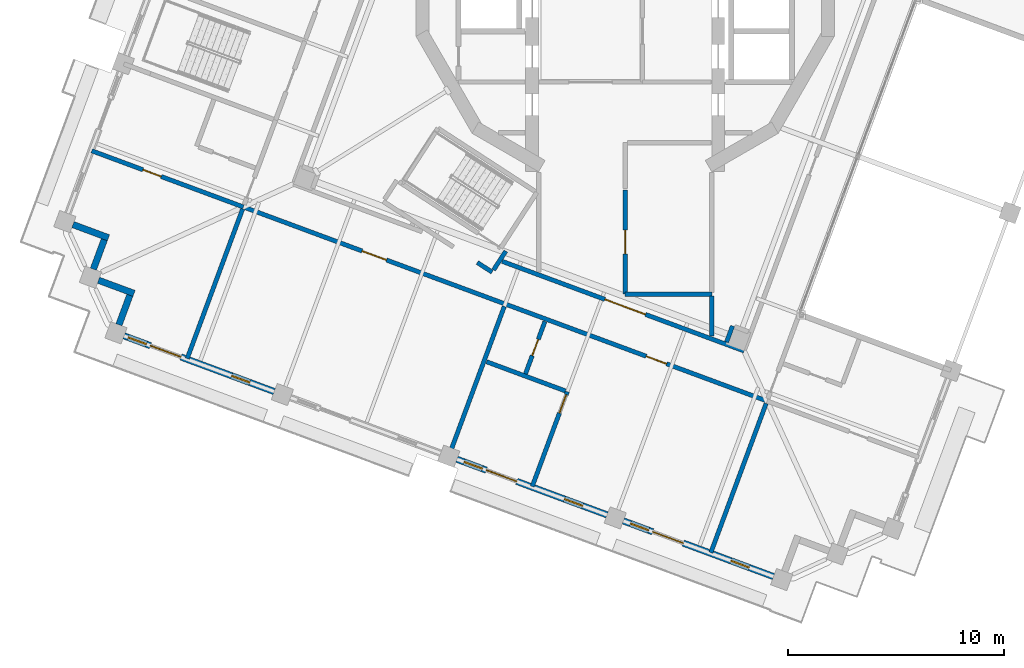
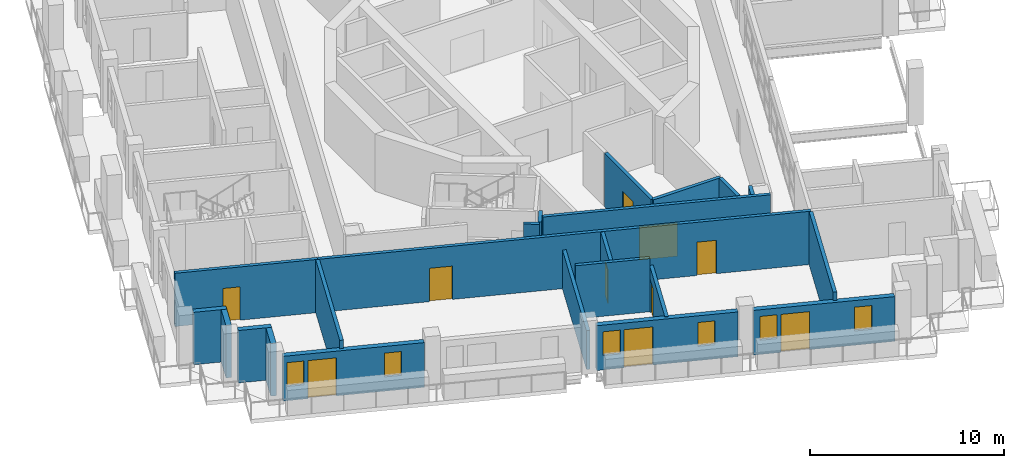
# One storey, part 5 of 19: 22 walls, 10 doors, 6 windows, 16 openings.
"""IFC4 building model written with IfcOpenShell, lengths in metres."""

from ifc_helpers import new_model, si_unit, direction, frame, frame_2d, origin, place, context, subcontext, project, spatial, rectangle, extrude, material, layer, layer_set, type_object, element, fill, save


model = new_model("IFC4")

# Units and contexts
model_context = context("Model", 3, precision=1e-05, world=origin(), true_north=direction((0.0, 1.0)))
body_context = subcontext(model_context, "Body", "Model", "MODEL_VIEW")
ifc_project = project(units=[si_unit("LENGTHUNIT", "METRE"), si_unit("AREAUNIT", "SQUARE_METRE"), si_unit("VOLUMEUNIT", "CUBIC_METRE"), si_unit("PLANEANGLEUNIT", "RADIAN"), si_unit("MASSUNIT", "GRAM", prefix="KILO")], contexts=[model_context])

# Site, building, storey
site_placement = place(None, origin())
site = spatial("IfcSite", under=ifc_project, at=site_placement, CompositionType="ELEMENT")
building_placement = place(site_placement, origin())
building = spatial("IfcBuilding", under=site, at=building_placement, Name="Cantera Rosa Tower", CompositionType="ELEMENT")
storey_placement = place(building_placement, frame((0.0, 0.0, 331.300048828125)))
storey = spatial("IfcBuildingStorey", under=building, at=storey_placement, Name="L74", CompositionType="ELEMENT", Elevation=331.300048828125)

# Wall, openings, doors
ifc_material_1 = material(Name="Gypsum board partition")
ifc_layer_1 = layer(ifc_material_1, 0.199951171875)
ifc_layer_set_1 = layer_set([ifc_layer_1], Name="CORRIDOR WALL 200 H3350")
wall_type_1 = type_object("IfcWallType", Name="CORRIDOR WALL 200 H3350", PredefinedType="PARTITIONING", material=ifc_layer_set_1)
wall_1_placement = place(storey_placement, frame((-17.61962890625, -10.48046875, 0.0), z_axis=(0.0, 0.0, 1.0), x_axis=(0.937683515105, -0.347490468214, 0.0)))
wall_1 = element("IfcWall", 1, at=wall_1_placement, inside=storey, type_object=wall_type_1, Name="CORRIDOR WALL L74-007", PredefinedType="PARTITIONING", context=body_context, shape_type="SweptSolid", body=[
    extrude(rectangle(XDim=25.77978515625, YDim=0.199951171875, at=frame_2d((12.889892578125, 0.0))), origin(), (0.0, 0.0, 1.0), 3.349853515625),
])
opening_1_placement = place(wall_1_placement, frame((5.830078125, 0.0, 0.0)))
opening_1 = element("IfcOpeningElement", 2, at=opening_1_placement, cuts=wall_1, Name="Opening L74-041", PredefinedType="OPENING", context=body_context, shape_type="SweptSolid", body=[
    extrude(rectangle(XDim=1.199951171875, YDim=2.10009765625, at=frame_2d((0.60009765625, 1.050048828125))), frame((0.0, 0.10986328125, 0.0), z_axis=(0.0, -1.0, 0.0), x_axis=(1.0, 0.0, 0.0)), (0.0, 0.0, 1.0), 0.219970703125),
])
opening_2_placement = place(wall_1_placement, frame((19.830078125, 0.0, 0.0)))
opening_2 = element("IfcOpeningElement", 3, at=opening_2_placement, cuts=wall_1, Name="Opening L74-042", PredefinedType="OPENING", context=body_context, shape_type="SweptSolid", body=[
    extrude(rectangle(XDim=1.0, YDim=2.10009765625, at=frame_2d((0.5, 1.050048828125))), frame((0.0, 0.10986328125, 0.0), z_axis=(0.0, -1.0, 0.0), x_axis=(1.0, 0.0, 0.0)), (0.0, 0.0, 1.0), 0.219970703125),
])
ifc_material_2 = material(Name="Timber door leaf", Category="wood")
door_type_1 = type_object("IfcDoorType", Name="ENTRANCE DOOR 1000x2100", OperationType="NOTDEFINED", PredefinedType="DOOR", material=ifc_material_2)
door_1_placement = place(opening_2_placement, origin())
door_1 = element("IfcDoor", 4, at=door_1_placement, inside=storey, type_object=door_type_1, Name="DOOR L74-042", OperationType="NOTDEFINED", OverallHeight=2.10009765625, OverallWidth=1.0, PredefinedType="DOOR", context=body_context, shape_type="SweptSolid", body=[
    extrude(rectangle(XDim=1.0, YDim=2.10009765625, at=frame_2d((0.5, 1.050048828125))), frame((0.0, 0.02490234375, 0.0), z_axis=(0.0, -1.0, 0.0), x_axis=(1.0, 0.0, 0.0)), (0.0, 0.0, 1.0), 0.050048828125),
])
fill(opening_2, door_1)
ifc_material_3 = material(Name="Timber door leaf", Category="wood")
door_type_2 = type_object("IfcDoorType", Name="ROOM DOOR 1200x2100", OperationType="NOTDEFINED", PredefinedType="DOOR", material=ifc_material_3)
door_2_placement = place(opening_1_placement, origin())
door_2 = element("IfcDoor", 5, at=door_2_placement, inside=storey, type_object=door_type_2, Name="DOOR L74-041", OperationType="NOTDEFINED", OverallHeight=2.10009765625, OverallWidth=1.199951171875, PredefinedType="DOOR", context=body_context, shape_type="SweptSolid", body=[
    extrude(rectangle(XDim=1.199951171875, YDim=2.10009765625, at=frame_2d((0.60009765625, 1.050048828125))), frame((0.0, 0.02490234375, 0.0), z_axis=(0.0, -1.0, 0.0), x_axis=(1.0, 0.0, 0.0)), (0.0, 0.0, 1.0), 0.050048828125),
])
fill(opening_1, door_2)

# Walls
wall_2_placement = place(storey_placement, frame((-6.83251953125, -13.038330078125, 0.0), z_axis=(0.0, 0.0, 1.0), x_axis=(0.838593374038, -0.54475788477, 0.0)))
element("IfcWall", 6, at=wall_2_placement, inside=storey, type_object=wall_type_1, Name="CORRIDOR WALL L74-023", PredefinedType="PARTITIONING", context=body_context, shape_type="SweptSolid", body=[
    extrude(rectangle(XDim=0.8193359375, YDim=0.199951171875, at=frame_2d((0.40966796875, 0.0))), origin(), (0.0, 0.0, 1.0), 3.349853515625),
])
wall_3_placement = place(storey_placement, frame((-6.080078125, -13.3837890625, 0.0), z_axis=(0.0, 0.0, 1.0), x_axis=(0.544566778899, 0.838717487191, 0.0)))
element("IfcWall", 7, at=wall_3_placement, inside=storey, type_object=wall_type_1, Name="CORRIDOR WALL L74-039", PredefinedType="PARTITIONING", context=body_context, shape_type="SweptSolid", body=[
    extrude(rectangle(XDim=1.038330078125, YDim=0.199951171875, at=frame_2d((0.51904296875, 0.0))), origin(), (0.0, 0.0, 1.0), 3.349853515625),
])

# Wall, opening, door
wall_4_placement = place(storey_placement, frame((-5.681396484375, -12.98486328125, 0.0), z_axis=(0.0, 0.0, 1.0), x_axis=(0.937686213924, -0.347483185516, 0.0)))
wall_4 = element("IfcWall", 8, at=wall_4_placement, inside=storey, type_object=wall_type_1, Name="CORRIDOR WALL L74-042", PredefinedType="PARTITIONING", context=body_context, shape_type="SweptSolid", body=[
    extrude(rectangle(XDim=11.915283203125, YDim=0.199951171875, at=frame_2d((5.95751953125, 0.0))), origin(), (0.0, 0.0, 1.0), 3.349853515625),
])
opening_3_placement = place(wall_4_placement, frame((5.05908203125, 0.0, 0.0)))
opening_3 = element("IfcOpeningElement", 9, at=opening_3_placement, cuts=wall_4, Name="Opening L74-011", PredefinedType="OPENING", context=body_context, shape_type="SweptSolid", body=[
    extrude(rectangle(XDim=2.0, YDim=2.10009765625, at=frame_2d((1.0, 1.050048828125))), frame((0.0, 0.10986328125, 0.0), z_axis=(0.0, -1.0, 0.0), x_axis=(1.0, 0.0, 0.0)), (0.0, 0.0, 1.0), 0.219970703125),
])
ifc_material_4 = material(Name="Steel S355J2 (EN 10025-2)", Category="steel")
door_type_3 = type_object("IfcDoorType", Name="LOBBY SCREEN DOOR 2000x2100", OperationType="NOTDEFINED", PredefinedType="DOOR", material=ifc_material_4)
door_3_placement = place(opening_3_placement, origin())
door_3 = element("IfcDoor", 10, at=door_3_placement, inside=storey, type_object=door_type_3, Name="DOOR L74-011", OperationType="NOTDEFINED", OverallHeight=2.10009765625, OverallWidth=2.0, PredefinedType="DOOR", context=body_context, shape_type="SweptSolid", body=[
    extrude(rectangle(XDim=2.0, YDim=2.10009765625, at=frame_2d((1.0, 1.050048828125))), frame((0.0, 0.02490234375, 0.0), z_axis=(0.0, -1.0, 0.0), x_axis=(1.0, 0.0, 0.0)), (0.0, 0.0, 1.0), 0.050048828125),
])
fill(opening_3, door_3)

# Wall
wall_5_placement = place(storey_placement, frame((0.0, -14.5, 0.0), z_axis=(0.0, 0.0, 1.0), x_axis=(1.0, 0.0, 0.0)))
element("IfcWall", 11, at=wall_5_placement, inside=storey, type_object=wall_type_1, Name="CORRIDOR WALL L74-062", PredefinedType="PARTITIONING", context=body_context, shape_type="SweptSolid", body=[
    extrude(rectangle(XDim=4.0, YDim=0.199951171875, at=frame_2d((2.0, 0.0))), origin(), (0.0, 0.0, 1.0), 3.349853515625),
])

# Wall, opening, door
wall_6_placement = place(storey_placement, frame((0.0, -9.689208984375, 0.0), z_axis=(0.0, 0.0, 1.0), x_axis=(0.0, -1.0, 0.0)))
wall_6 = element("IfcWall", 12, at=wall_6_placement, inside=storey, type_object=wall_type_1, Name="CORRIDOR WALL L74-063", PredefinedType="PARTITIONING", context=body_context, shape_type="SweptSolid", body=[
    extrude(rectangle(XDim=4.810791015625, YDim=0.199951171875, at=frame_2d((2.4052734375, 0.0))), origin(), (0.0, 0.0, 1.0), 3.349853515625),
])
opening_4_placement = place(wall_6_placement, frame((1.85546875, 0.0, 0.0)))
opening_4 = element("IfcOpeningElement", 13, at=opening_4_placement, cuts=wall_6, Name="Opening L74-015", PredefinedType="OPENING", context=body_context, shape_type="SweptSolid", body=[
    extrude(rectangle(XDim=1.10009765625, YDim=2.10009765625, at=frame_2d((0.550048828125, 1.050048828125))), frame((0.0, 0.10986328125, 0.0), z_axis=(0.0, -1.0, 0.0), x_axis=(1.0, 0.0, 0.0)), (0.0, 0.0, 1.0), 0.219970703125),
])
ifc_material_5 = material(Name="Timber door leaf", Category="wood")
door_type_4 = type_object("IfcDoorType", Name="ROOM DOOR 1100x2100", OperationType="NOTDEFINED", PredefinedType="DOOR", material=ifc_material_5)
door_4_placement = place(opening_4_placement, origin())
door_4 = element("IfcDoor", 14, at=door_4_placement, inside=storey, type_object=door_type_4, Name="DOOR L74-015", OperationType="NOTDEFINED", OverallHeight=2.10009765625, OverallWidth=1.10009765625, PredefinedType="DOOR", context=body_context, shape_type="SweptSolid", body=[
    extrude(rectangle(XDim=1.10009765625, YDim=2.10009765625, at=frame_2d((0.550048828125, 1.050048828125))), frame((0.0, 0.02490234375, 0.0), z_axis=(0.0, -1.0, 0.0), x_axis=(1.0, 0.0, 0.0)), (0.0, 0.0, 1.0), 0.050048828125),
])
fill(opening_4, door_4)

# Walls
wall_7_placement = place(storey_placement, frame((4.0, -16.4326171875, 0.0), z_axis=(0.0, 0.0, 1.0), x_axis=(0.0, 1.0, 0.0)))
element("IfcWall", 15, at=wall_7_placement, inside=storey, type_object=wall_type_1, Name="CORRIDOR WALL L74-077", PredefinedType="PARTITIONING", context=body_context, shape_type="SweptSolid", body=[
    extrude(rectangle(XDim=1.8525390625, YDim=0.199951171875, at=frame_2d((0.92626953125, 0.0))), origin(), (0.0, 0.0, 1.0), 3.349853515625),
])
ifc_material_6 = material(Name="Hollow clay masonry with cantera stone cladding", Category="masonry")
ifc_layer_2 = layer(ifc_material_6, 0.300048828125)
ifc_layer_set_2 = layer_set([ifc_layer_2], Name="EW-LOGGIA 300")
wall_type_2 = type_object("IfcWallType", Name="EW-LOGGIA 300", PredefinedType="SOLIDWALL", material=ifc_layer_set_2)
wall_8_placement = place(storey_placement, frame((-25.51220703125, -11.288330078125, 0.0), z_axis=(0.0, 0.0, 1.0), x_axis=(0.937669639538, -0.34752790836, 0.0)))
element("IfcWall", 16, at=wall_8_placement, inside=storey, type_object=wall_type_2, Name="EN-L74-W12a", PredefinedType="SOLIDWALL", context=body_context, shape_type="SweptSolid", body=[
    extrude(rectangle(XDim=1.75, YDim=0.300048828125, at=frame_2d((0.875, 0.0))), origin(), (0.0, 0.0, 1.0), 3.300048828125),
])
wall_9_placement = place(storey_placement, frame((-24.06396484375, -11.985107421875, 0.0), z_axis=(0.0, 0.0, 1.0), x_axis=(-0.347522732201, -0.937671557958, 0.0)))
element("IfcWall", 17, at=wall_9_placement, inside=storey, type_object=wall_type_2, Name="EN-L74-W12b", PredefinedType="SOLIDWALL", context=body_context, shape_type="SweptSolid", body=[
    extrude(rectangle(XDim=1.449951171875, YDim=0.300048828125, at=frame_2d((0.72509765625, 0.0))), origin(), (0.0, 0.0, 1.0), 3.300048828125),
])
wall_10_placement = place(storey_placement, frame((-24.331787109375, -13.858642578125, 0.0), z_axis=(0.0, 0.0, 1.0), x_axis=(0.937669639538, -0.34752790836, 0.0)))
element("IfcWall", 18, at=wall_10_placement, inside=storey, type_object=wall_type_2, Name="EN-L74-W13a", PredefinedType="SOLIDWALL", context=body_context, shape_type="SweptSolid", body=[
    extrude(rectangle(XDim=1.75, YDim=0.300048828125, at=frame_2d((0.875, 0.0))), origin(), (0.0, 0.0, 1.0), 3.300048828125),
])
wall_11_placement = place(storey_placement, frame((-22.883544921875, -14.555419921875, 0.0), z_axis=(0.0, 0.0, 1.0), x_axis=(-0.347522732201, -0.937671557958, 0.0)))
element("IfcWall", 19, at=wall_11_placement, inside=storey, type_object=wall_type_2, Name="EN-L74-W13b", PredefinedType="SOLIDWALL", context=body_context, shape_type="SweptSolid", body=[
    extrude(rectangle(XDim=1.449951171875, YDim=0.300048828125, at=frame_2d((0.72509765625, 0.0))), origin(), (0.0, 0.0, 1.0), 3.300048828125),
])

# Wall, openings, windows, door
ifc_material_7 = material(Name="Hollow clay masonry with cantera stone cladding", Category="masonry")
ifc_layer_3 = layer(ifc_material_7, 0.300048828125)
ifc_layer_set_3 = layer_set([ifc_layer_3], Name="EW-LOGGIA 300 H2820")
wall_type_3 = type_object("IfcWallType", Name="EW-LOGGIA 300 H2820", PredefinedType="SOLIDWALL", material=ifc_layer_set_3)
wall_12_placement = place(storey_placement, frame((-23.1513671875, -16.428955078125, 0.0), z_axis=(0.0, 0.0, 1.0), x_axis=(0.937676706507, -0.347508840281, 0.0)))
wall_12 = element("IfcWall", 20, at=wall_12_placement, inside=storey, type_object=wall_type_3, Name="EN-L74-W14", PredefinedType="SOLIDWALL", context=body_context, shape_type="SweptSolid", body=[
    extrude(rectangle(XDim=7.39990234375, YDim=0.300048828125, at=frame_2d((3.699951171875, 0.0))), origin(), (0.0, 0.0, 1.0), 2.820068359375),
])
opening_5_placement = place(wall_12_placement, frame((0.199951171875, 0.0, 0.89990234375)))
opening_5 = element("IfcOpeningElement", 21, at=opening_5_placement, cuts=wall_12, Name="Opening L74-W28", PredefinedType="OPENING", context=body_context, shape_type="SweptSolid", body=[
    extrude(rectangle(XDim=0.89990234375, YDim=1.5, at=frame_2d((0.449951171875, 0.75))), frame((0.0, 0.159912109375, 0.0), z_axis=(0.0, -1.0, 0.0), x_axis=(1.0, 0.0, 0.0)), (0.0, 0.0, 1.0), 0.320068359375),
])
opening_6_placement = place(wall_12_placement, frame((1.300048828125, 0.0, 0.0)))
opening_6 = element("IfcOpeningElement", 22, at=opening_6_placement, cuts=wall_12, Name="Opening L74-TD29", PredefinedType="OPENING", context=body_context, shape_type="SweptSolid", body=[
    extrude(rectangle(XDim=1.5, YDim=2.39990234375, at=frame_2d((0.75, 1.199951171875))), frame((0.0, 0.159912109375, 0.0), z_axis=(0.0, -1.0, 0.0), x_axis=(1.0, 0.0, 0.0)), (0.0, 0.0, 1.0), 0.320068359375),
])
opening_7_placement = place(wall_12_placement, frame((5.300048828125, 0.0, 0.89990234375)))
opening_7 = element("IfcOpeningElement", 23, at=opening_7_placement, cuts=wall_12, Name="Opening L74-W30", PredefinedType="OPENING", context=body_context, shape_type="SweptSolid", body=[
    extrude(rectangle(XDim=0.89990234375, YDim=1.5, at=frame_2d((0.449951171875, 0.75))), frame((0.0, 0.159912109375, 0.0), z_axis=(0.0, -1.0, 0.0), x_axis=(1.0, 0.0, 0.0)), (0.0, 0.0, 1.0), 0.320068359375),
])
ifc_material_8 = material(Name="Aluminium frame with clear glass", Category="aluminium")
window_type = type_object("IfcWindowType", Name="Residential window 900x1500", PartitioningType="SINGLE_PANEL", PredefinedType="WINDOW", material=ifc_material_8)
window_1_placement = place(opening_5_placement, origin())
window_1 = element("IfcWindow", 24, at=window_1_placement, inside=storey, type_object=window_type, Name="WINDOW L74-W28", OverallHeight=1.5, OverallWidth=0.89990234375, PartitioningType="SINGLE_PANEL", PredefinedType="WINDOW", context=body_context, shape_type="SweptSolid", body=[
    extrude(rectangle(XDim=0.89990234375, YDim=1.5, at=frame_2d((0.449951171875, 0.75))), frame((0.0, 0.030029296875, 0.0), z_axis=(0.0, -1.0, 0.0), x_axis=(1.0, 0.0, 0.0)), (0.0, 0.0, 1.0), 0.06005859375),
])
fill(opening_5, window_1)
window_2_placement = place(opening_7_placement, origin())
window_2 = element("IfcWindow", 25, at=window_2_placement, inside=storey, type_object=window_type, Name="WINDOW L74-W30", OverallHeight=1.5, OverallWidth=0.89990234375, PartitioningType="SINGLE_PANEL", PredefinedType="WINDOW", context=body_context, shape_type="SweptSolid", body=[
    extrude(rectangle(XDim=0.89990234375, YDim=1.5, at=frame_2d((0.449951171875, 0.75))), frame((0.0, 0.030029296875, 0.0), z_axis=(0.0, -1.0, 0.0), x_axis=(1.0, 0.0, 0.0)), (0.0, 0.0, 1.0), 0.06005859375),
])
fill(opening_7, window_2)
ifc_material_9 = material(Name="Aluminium frame with clear glass", Category="aluminium")
door_type_5 = type_object("IfcDoorType", Name="TD-R 1500x2400", OperationType="NOTDEFINED", PredefinedType="DOOR", material=ifc_material_9)
door_5_placement = place(opening_6_placement, origin())
door_5 = element("IfcDoor", 26, at=door_5_placement, inside=storey, type_object=door_type_5, Name="LOGGIA DOOR L74-TD29", OperationType="SLIDING_TO_LEFT", OverallHeight=2.39990234375, OverallWidth=1.5, PredefinedType="DOOR", context=body_context, shape_type="SweptSolid", body=[
    extrude(rectangle(XDim=1.5, YDim=2.39990234375, at=frame_2d((0.75, 1.199951171875))), frame((0.0, 0.02490234375, 0.0), z_axis=(0.0, -1.0, 0.0), x_axis=(1.0, 0.0, 0.0)), (0.0, 0.0, 1.0), 0.050048828125),
])
fill(opening_6, door_5)

wall_13_placement = place(storey_placement, frame((-7.7734375, -22.127685546875, 0.0), z_axis=(0.0, 0.0, 1.0), x_axis=(0.937680690562, -0.34749808999, 0.0)))
wall_13 = element("IfcWall", 27, at=wall_13_placement, inside=storey, type_object=wall_type_3, Name="EN-L74-W16", PredefinedType="SOLIDWALL", context=body_context, shape_type="SweptSolid", body=[
    extrude(rectangle(XDim=7.400146484375, YDim=0.300048828125, at=frame_2d((3.7001953125, 0.0))), origin(), (0.0, 0.0, 1.0), 2.820068359375),
])
opening_8_placement = place(wall_13_placement, frame((0.35009765625, 0.0, 0.89990234375)))
opening_8 = element("IfcOpeningElement", 28, at=opening_8_placement, cuts=wall_13, Name="Opening L74-W34", PredefinedType="OPENING", context=body_context, shape_type="SweptSolid", body=[
    extrude(rectangle(XDim=0.89990234375, YDim=1.5, at=frame_2d((0.449951171875, 0.75))), frame((0.0, 0.159912109375, 0.0), z_axis=(0.0, -1.0, 0.0), x_axis=(1.0, 0.0, 0.0)), (0.0, 0.0, 1.0), 0.320068359375),
])
opening_9_placement = place(wall_13_placement, frame((1.449951171875, 0.0, 0.0)))
opening_9 = element("IfcOpeningElement", 29, at=opening_9_placement, cuts=wall_13, Name="Opening L74-TD35", PredefinedType="OPENING", context=body_context, shape_type="SweptSolid", body=[
    extrude(rectangle(XDim=1.5, YDim=2.39990234375, at=frame_2d((0.75, 1.199951171875))), frame((0.0, 0.159912109375, 0.0), z_axis=(0.0, -1.0, 0.0), x_axis=(1.0, 0.0, 0.0)), (0.0, 0.0, 1.0), 0.320068359375),
])
opening_10_placement = place(wall_13_placement, frame((5.300048828125, 0.0, 0.89990234375)))
opening_10 = element("IfcOpeningElement", 30, at=opening_10_placement, cuts=wall_13, Name="Opening L74-W36", PredefinedType="OPENING", context=body_context, shape_type="SweptSolid", body=[
    extrude(rectangle(XDim=0.89990234375, YDim=1.5, at=frame_2d((0.449951171875, 0.75))), frame((0.0, 0.159912109375, 0.0), z_axis=(0.0, -1.0, 0.0), x_axis=(1.0, 0.0, 0.0)), (0.0, 0.0, 1.0), 0.320068359375),
])
window_3_placement = place(opening_8_placement, origin())
window_3 = element("IfcWindow", 31, at=window_3_placement, inside=storey, type_object=window_type, Name="WINDOW L74-W34", OverallHeight=1.5, OverallWidth=0.89990234375, PartitioningType="SINGLE_PANEL", PredefinedType="WINDOW", context=body_context, shape_type="SweptSolid", body=[
    extrude(rectangle(XDim=0.89990234375, YDim=1.5, at=frame_2d((0.449951171875, 0.75))), frame((0.0, 0.030029296875, 0.0), z_axis=(0.0, -1.0, 0.0), x_axis=(1.0, 0.0, 0.0)), (0.0, 0.0, 1.0), 0.06005859375),
])
fill(opening_8, window_3)
window_4_placement = place(opening_10_placement, origin())
window_4 = element("IfcWindow", 32, at=window_4_placement, inside=storey, type_object=window_type, Name="WINDOW L74-W36", OverallHeight=1.5, OverallWidth=0.89990234375, PartitioningType="SINGLE_PANEL", PredefinedType="WINDOW", context=body_context, shape_type="SweptSolid", body=[
    extrude(rectangle(XDim=0.89990234375, YDim=1.5, at=frame_2d((0.449951171875, 0.75))), frame((0.0, 0.030029296875, 0.0), z_axis=(0.0, -1.0, 0.0), x_axis=(1.0, 0.0, 0.0)), (0.0, 0.0, 1.0), 0.06005859375),
])
fill(opening_10, window_4)
door_6_placement = place(opening_9_placement, origin())
door_6 = element("IfcDoor", 33, at=door_6_placement, inside=storey, type_object=door_type_5, Name="LOGGIA DOOR L74-TD35", OperationType="SLIDING_TO_LEFT", OverallHeight=2.39990234375, OverallWidth=1.5, PredefinedType="DOOR", context=body_context, shape_type="SweptSolid", body=[
    extrude(rectangle(XDim=1.5, YDim=2.39990234375, at=frame_2d((0.75, 1.199951171875))), frame((0.0, 0.02490234375, 0.0), z_axis=(0.0, -1.0, 0.0), x_axis=(1.0, 0.0, 0.0)), (0.0, 0.0, 1.0), 0.050048828125),
])
fill(opening_9, door_6)

wall_14_placement = place(storey_placement, frame((-0.084228515625, -24.97705078125, 0.0), z_axis=(0.0, 0.0, 1.0), x_axis=(0.937687456783, -0.347479831633, 0.0)))
wall_14 = element("IfcWall", 34, at=wall_14_placement, inside=storey, type_object=wall_type_3, Name="EN-L74-W17", PredefinedType="SOLIDWALL", context=body_context, shape_type="SweptSolid", body=[
    extrude(rectangle(XDim=7.39990234375, YDim=0.300048828125, at=frame_2d((3.699951171875, 0.0))), origin(), (0.0, 0.0, 1.0), 2.820068359375),
])
opening_11_placement = place(wall_14_placement, frame((0.35009765625, 0.0, 0.89990234375)))
opening_11 = element("IfcOpeningElement", 35, at=opening_11_placement, cuts=wall_14, Name="Opening L74-W37", PredefinedType="OPENING", context=body_context, shape_type="SweptSolid", body=[
    extrude(rectangle(XDim=0.89990234375, YDim=1.5, at=frame_2d((0.449951171875, 0.75))), frame((0.0, 0.159912109375, 0.0), z_axis=(0.0, -1.0, 0.0), x_axis=(1.0, 0.0, 0.0)), (0.0, 0.0, 1.0), 0.320068359375),
])
opening_12_placement = place(wall_14_placement, frame((1.449951171875, 0.0, 0.0)))
opening_12 = element("IfcOpeningElement", 36, at=opening_12_placement, cuts=wall_14, Name="Opening L74-TD38", PredefinedType="OPENING", context=body_context, shape_type="SweptSolid", body=[
    extrude(rectangle(XDim=1.5, YDim=2.39990234375, at=frame_2d((0.75, 1.199951171875))), frame((0.0, 0.159912109375, 0.0), z_axis=(0.0, -1.0, 0.0), x_axis=(1.0, 0.0, 0.0)), (0.0, 0.0, 1.0), 0.320068359375),
])
opening_13_placement = place(wall_14_placement, frame((5.300048828125, 0.0, 0.89990234375)))
opening_13 = element("IfcOpeningElement", 37, at=opening_13_placement, cuts=wall_14, Name="Opening L74-W39", PredefinedType="OPENING", context=body_context, shape_type="SweptSolid", body=[
    extrude(rectangle(XDim=0.89990234375, YDim=1.5, at=frame_2d((0.449951171875, 0.75))), frame((0.0, 0.159912109375, 0.0), z_axis=(0.0, -1.0, 0.0), x_axis=(1.0, 0.0, 0.0)), (0.0, 0.0, 1.0), 0.320068359375),
])
window_5_placement = place(opening_11_placement, origin())
window_5 = element("IfcWindow", 38, at=window_5_placement, inside=storey, type_object=window_type, Name="WINDOW L74-W37", OverallHeight=1.5, OverallWidth=0.89990234375, PartitioningType="SINGLE_PANEL", PredefinedType="WINDOW", context=body_context, shape_type="SweptSolid", body=[
    extrude(rectangle(XDim=0.89990234375, YDim=1.5, at=frame_2d((0.449951171875, 0.75))), frame((0.0, 0.030029296875, 0.0), z_axis=(0.0, -1.0, 0.0), x_axis=(1.0, 0.0, 0.0)), (0.0, 0.0, 1.0), 0.06005859375),
])
fill(opening_11, window_5)
window_6_placement = place(opening_13_placement, origin())
window_6 = element("IfcWindow", 39, at=window_6_placement, inside=storey, type_object=window_type, Name="WINDOW L74-W39", OverallHeight=1.5, OverallWidth=0.89990234375, PartitioningType="SINGLE_PANEL", PredefinedType="WINDOW", context=body_context, shape_type="SweptSolid", body=[
    extrude(rectangle(XDim=0.89990234375, YDim=1.5, at=frame_2d((0.449951171875, 0.75))), frame((0.0, 0.030029296875, 0.0), z_axis=(0.0, -1.0, 0.0), x_axis=(1.0, 0.0, 0.0)), (0.0, 0.0, 1.0), 0.06005859375),
])
fill(opening_13, window_6)
door_7_placement = place(opening_12_placement, origin())
door_7 = element("IfcDoor", 40, at=door_7_placement, inside=storey, type_object=door_type_5, Name="LOGGIA DOOR L74-TD38", OperationType="SLIDING_TO_LEFT", OverallHeight=2.39990234375, OverallWidth=1.5, PredefinedType="DOOR", context=body_context, shape_type="SweptSolid", body=[
    extrude(rectangle(XDim=1.5, YDim=2.39990234375, at=frame_2d((0.75, 1.199951171875))), frame((0.0, 0.02490234375, 0.0), z_axis=(0.0, -1.0, 0.0), x_axis=(1.0, 0.0, 0.0)), (0.0, 0.0, 1.0), 0.050048828125),
])
fill(opening_12, door_7)

# Wall, opening, door
ifc_material_10 = material(Name="Gypsum board partition")
ifc_layer_4 = layer(ifc_material_10, 0.199951171875)
ifc_layer_set_4 = layer_set([ifc_layer_4], Name="PARTITION 200 H2850")
wall_type_4 = type_object("IfcWallType", Name="PARTITION 200 H2850", PredefinedType="PARTITIONING", material=ifc_layer_set_4)
wall_15_placement = place(storey_placement, frame((-2.6708984375, -19.00634765625, 0.0), z_axis=(0.0, 0.0, 1.0), x_axis=(-0.347453975961, -0.937697037741, 0.0)))
wall_15 = element("IfcWall", 41, at=wall_15_placement, inside=storey, type_object=wall_type_4, Name="PARTITION L74-059", PredefinedType="PARTITIONING", context=body_context, shape_type="SweptSolid", body=[
    extrude(rectangle(XDim=4.669921875, YDim=0.199951171875, at=frame_2d((2.3349609375, 0.0))), origin(), (0.0, 0.0, 1.0), 2.849853515625),
])
opening_14_placement = place(wall_15_placement, frame((0.14990234375, 0.0, 0.0)))
opening_14 = element("IfcOpeningElement", 42, at=opening_14_placement, cuts=wall_15, Name="Opening L74-044", PredefinedType="OPENING", context=body_context, shape_type="SweptSolid", body=[
    extrude(rectangle(XDim=0.89990234375, YDim=2.10009765625, at=frame_2d((0.449951171875, 1.050048828125))), frame((0.0, 0.10986328125, 0.0), z_axis=(0.0, -1.0, 0.0), x_axis=(1.0, 0.0, 0.0)), (0.0, 0.0, 1.0), 0.219970703125),
])
ifc_material_11 = material(Name="Timber door leaf", Category="wood")
door_type_6 = type_object("IfcDoorType", Name="ROOM DOOR 900x2100", OperationType="NOTDEFINED", PredefinedType="DOOR", material=ifc_material_11)
door_8_placement = place(opening_14_placement, origin())
door_8 = element("IfcDoor", 43, at=door_8_placement, inside=storey, type_object=door_type_6, Name="DOOR L74-044", OperationType="NOTDEFINED", OverallHeight=2.10009765625, OverallWidth=0.89990234375, PredefinedType="DOOR", context=body_context, shape_type="SweptSolid", body=[
    extrude(rectangle(XDim=0.89990234375, YDim=2.10009765625, at=frame_2d((0.449951171875, 1.050048828125))), frame((0.0, 0.02490234375, 0.0), z_axis=(0.0, -1.0, 0.0), x_axis=(1.0, 0.0, 0.0)), (0.0, 0.0, 1.0), 0.050048828125),
])
fill(opening_14, door_8)

ifc_material_12 = material(Name="Gypsum board partition")
ifc_layer_5 = layer(ifc_material_12, 0.199951171875)
ifc_layer_set_5 = layer_set([ifc_layer_5], Name="PARTITION 200 H3350")
wall_type_5 = type_object("IfcWallType", Name="PARTITION 200 H3350", PredefinedType="PARTITIONING", material=ifc_layer_set_5)
wall_16_placement = place(storey_placement, frame((-24.64306640625, -7.8779296875, 0.0), z_axis=(0.0, 0.0, 1.0), x_axis=(0.93768803379, -0.347478274555, 0.0)))
wall_16 = element("IfcWall", 44, at=wall_16_placement, inside=storey, type_object=wall_type_5, Name="PARTITION L74-001", PredefinedType="PARTITIONING", context=body_context, shape_type="SweptSolid", body=[
    extrude(rectangle(XDim=7.47021484375, YDim=0.199951171875, at=frame_2d((3.735107421875, 0.0))), origin(), (0.0, 0.0, 1.0), 3.349853515625),
])
opening_15_placement = place(wall_16_placement, frame((2.52001953125, 0.0, 0.0)))
opening_15 = element("IfcOpeningElement", 45, at=opening_15_placement, cuts=wall_16, Name="Opening L74-040", PredefinedType="OPENING", context=body_context, shape_type="SweptSolid", body=[
    extrude(rectangle(XDim=0.89990234375, YDim=2.10009765625, at=frame_2d((0.449951171875, 1.050048828125))), frame((0.0, 0.10986328125, 0.0), z_axis=(0.0, -1.0, 0.0), x_axis=(1.0, 0.0, 0.0)), (0.0, 0.0, 1.0), 0.219970703125),
])
door_9_placement = place(opening_15_placement, origin())
door_9 = element("IfcDoor", 46, at=door_9_placement, inside=storey, type_object=door_type_6, Name="DOOR L74-040", OperationType="NOTDEFINED", OverallHeight=2.10009765625, OverallWidth=0.89990234375, PredefinedType="DOOR", context=body_context, shape_type="SweptSolid", body=[
    extrude(rectangle(XDim=0.89990234375, YDim=2.10009765625, at=frame_2d((0.449951171875, 1.050048828125))), frame((0.0, 0.02490234375, 0.0), z_axis=(0.0, -1.0, 0.0), x_axis=(1.0, 0.0, 0.0)), (0.0, 0.0, 1.0), 0.050048828125),
])
fill(opening_15, door_9)

wall_17_placement = place(storey_placement, frame((-3.70849609375, -15.763671875, 0.0), z_axis=(0.0, 0.0, 1.0), x_axis=(-0.347563980018, -0.937656269533, 0.0)))
wall_17 = element("IfcWall", 47, at=wall_17_placement, inside=storey, type_object=wall_type_5, Name="PARTITION L74-057", PredefinedType="PARTITIONING", context=body_context, shape_type="SweptSolid", body=[
    extrude(rectangle(XDim=2.580078125, YDim=0.199951171875, at=frame_2d((1.2900390625, 0.0))), origin(), (0.0, 0.0, 1.0), 3.349853515625),
])
opening_16_placement = place(wall_17_placement, frame((0.8798828125, 0.0, 0.0)))
opening_16 = element("IfcOpeningElement", 48, at=opening_16_placement, cuts=wall_17, Name="Opening L74-043", PredefinedType="OPENING", context=body_context, shape_type="SweptSolid", body=[
    extrude(rectangle(XDim=0.800048828125, YDim=2.10009765625, at=frame_2d((0.39990234375, 1.050048828125))), frame((0.0, 0.10986328125, 0.0), z_axis=(0.0, -1.0, 0.0), x_axis=(1.0, 0.0, 0.0)), (0.0, 0.0, 1.0), 0.219970703125),
])
ifc_material_13 = material(Name="Timber door leaf", Category="wood")
door_type_7 = type_object("IfcDoorType", Name="BATHROOM DOOR 800x2100", OperationType="NOTDEFINED", PredefinedType="DOOR", material=ifc_material_13)
door_10_placement = place(opening_16_placement, origin())
door_10 = element("IfcDoor", 49, at=door_10_placement, inside=storey, type_object=door_type_7, Name="DOOR L74-043", OperationType="NOTDEFINED", OverallHeight=2.10009765625, OverallWidth=0.800048828125, PredefinedType="DOOR", context=body_context, shape_type="SweptSolid", body=[
    extrude(rectangle(XDim=0.800048828125, YDim=2.10009765625, at=frame_2d((0.39990234375, 1.050048828125))), frame((0.0, 0.02490234375, 0.0), z_axis=(0.0, -1.0, 0.0), x_axis=(1.0, 0.0, 0.0)), (0.0, 0.0, 1.0), 0.050048828125),
])
fill(opening_16, door_10)

# Walls
wall_18_placement = place(storey_placement, frame((-2.764404296875, -18.9716796875, 0.0), z_axis=(0.0, 0.0, 1.0), x_axis=(-0.937679675648, 0.347500828599, 0.0)))
element("IfcWall", 50, at=wall_18_placement, inside=storey, type_object=wall_type_5, Name="PARTITION L74-058", PredefinedType="PARTITIONING", context=body_context, shape_type="SweptSolid", body=[
    extrude(rectangle(XDim=3.880126953125, YDim=0.199951171875, at=frame_2d((1.93994140625, 0.0))), origin(), (0.0, 0.0, 1.0), 3.349853515625),
])
wall_19_placement = place(storey_placement, frame((4.960205078125, -15.96875, 0.0), z_axis=(0.0, 0.0, 1.0), x_axis=(-0.34737400582, -0.937726665975, 0.0)))
element("IfcWall", 51, at=wall_19_placement, inside=storey, type_object=wall_type_5, Name="PARTITION L74-084", PredefinedType="PARTITIONING", context=body_context, shape_type="SweptSolid", body=[
    extrude(rectangle(XDim=0.7998046875, YDim=0.199951171875, at=frame_2d((0.39990234375, 0.0))), origin(), (0.0, 0.0, 1.0), 3.349853515625),
])
ifc_material_14 = material(Name="Gypsum board partition")
ifc_layer_6 = layer(ifc_material_14, 0.199951171875)
ifc_layer_set_6 = layer_set([ifc_layer_6], Name="PARTY WALL 200 H2450")
wall_type_6 = type_object("IfcWallType", Name="PARTY WALL 200 H2450", PredefinedType="PARTITIONING", material=ifc_layer_set_6)
wall_20_placement = place(storey_placement, frame((-5.583984375, -15.068603515625, 0.0), z_axis=(0.0, 0.0, 1.0), x_axis=(-0.347473379308, -0.937689847803, 0.0)))
element("IfcWall", 52, at=wall_20_placement, inside=storey, type_object=wall_type_6, Name="PARTY WALL L74-044", PredefinedType="PARTITIONING", context=body_context, shape_type="SweptSolid", body=[
    extrude(rectangle(XDim=7.35009765625, YDim=0.199951171875, at=frame_2d((3.675048828125, 0.0))), origin(), (0.0, 0.0, 1.0), 2.449951171875),
])
ifc_material_15 = material(Name="Gypsum board partition")
ifc_layer_7 = layer(ifc_material_15, 0.199951171875)
ifc_layer_set_7 = layer_set([ifc_layer_7], Name="PARTY WALL 200 H3350")
wall_type_7 = type_object("IfcWallType", Name="PARTY WALL 200 H3350", PredefinedType="PARTITIONING", material=ifc_layer_set_7)
wall_21_placement = place(storey_placement, frame((-17.673095703125, -10.5673828125, 0.0), z_axis=(0.0, 0.0, 1.0), x_axis=(-0.347497764109, -0.937680811331, 0.0)))
element("IfcWall", 53, at=wall_21_placement, inside=storey, type_object=wall_type_7, Name="PARTY WALL L74-006", PredefinedType="PARTITIONING", context=body_context, shape_type="SweptSolid", body=[
    extrude(rectangle(XDim=7.369873046875, YDim=0.199951171875, at=frame_2d((3.68505859375, 0.0))), origin(), (0.0, 0.0, 1.0), 3.349853515625),
])
wall_22_placement = place(storey_placement, frame((3.958251953125, -26.443115234375, 0.0), z_axis=(0.0, 0.0, 1.0), x_axis=(0.347473379308, 0.937689847803, 0.0)))
element("IfcWall", 54, at=wall_22_placement, inside=storey, type_object=wall_type_7, Name="PARTY WALL L74-074", PredefinedType="PARTITIONING", context=body_context, shape_type="SweptSolid", body=[
    extrude(rectangle(XDim=7.35009765625, YDim=0.199951171875, at=frame_2d((3.675048828125, 0.0))), origin(), (0.0, 0.0, 1.0), 3.349853515625),
])

save(model, "model.ifc")
